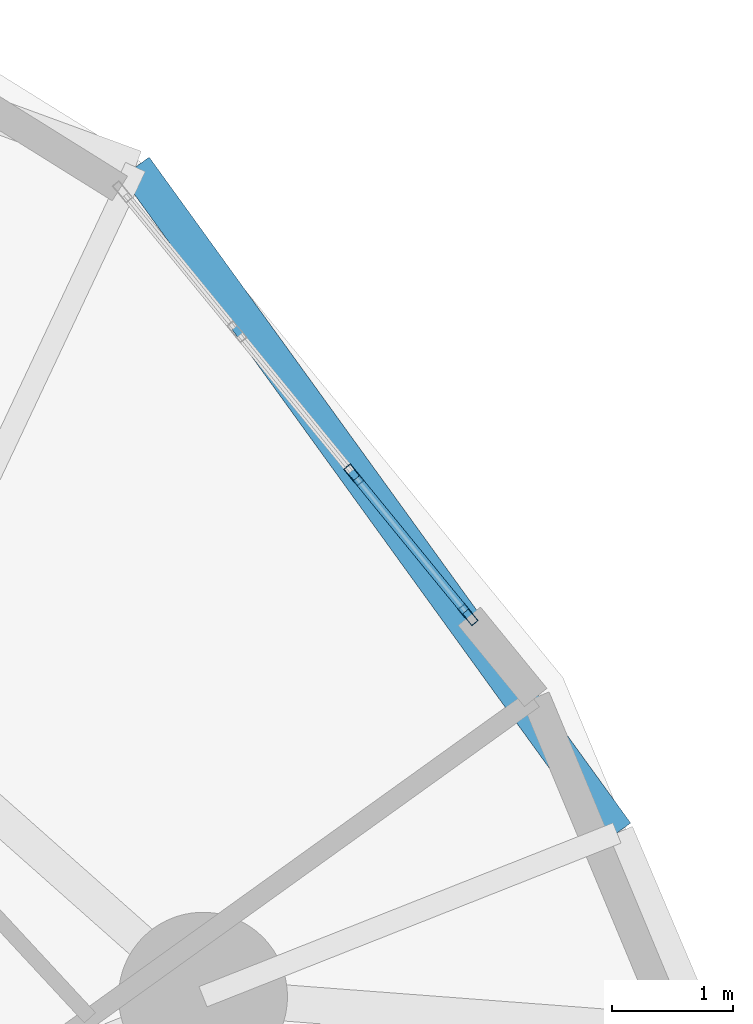
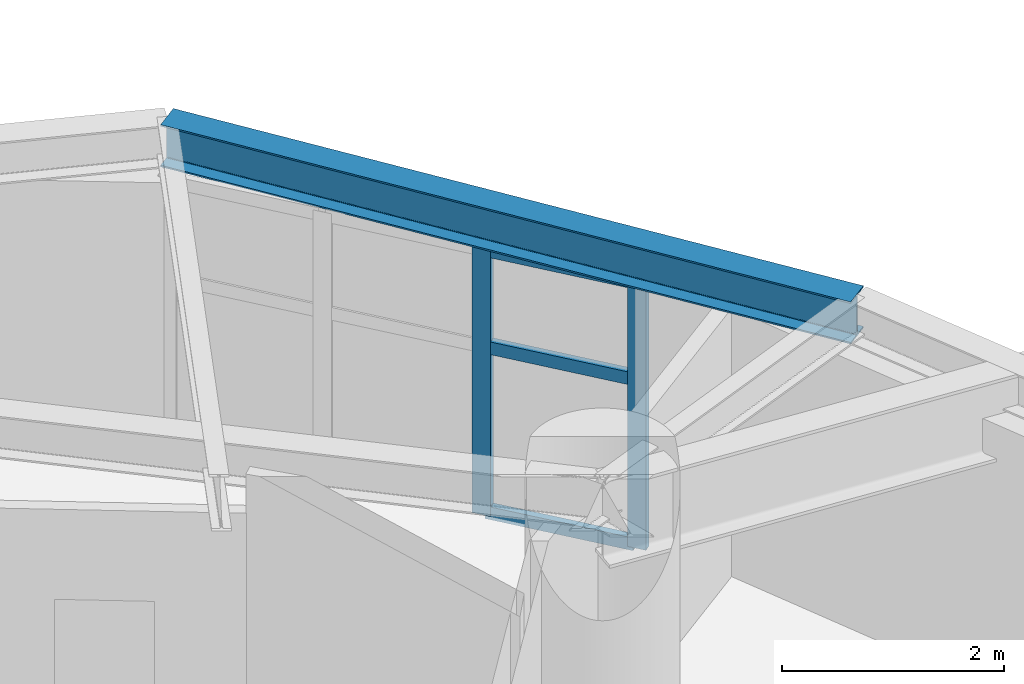
# One storey, part 3 of 20: 5 members, 1 beam, 1 element without a shape of its own.
"""IFC4 building model written with IfcOpenShell, lengths in metres."""

import ifcopenshell
import ifcopenshell.guid

model = None  # the IFC model being written
_history = None  # IfcOwnerHistory: only IFC2X3 demands one
_inside = {}  # id of a spatial element -> (the spatial element, [elements in it])
_under = {}  # id of a project, library or spatial element -> (it, [spatial elements below it])
_declared = {}  # id of a project -> (the project, [libraries it declares])
_typed = {}  # id of a type object -> (the type object, [elements of that type])
_made_of = {}  # id of a material, layer set ... -> (it, [elements and type objects made of it])


def new_model(schema):
    """Start an empty IFC model of exactly this schema.

    Asked for "IFC4X3", IfcOpenShell would pick the latest addendum, in which some entities
    have other attributes; the version numbers below select the first issue.
    IFC2X3 requires an IfcOwnerHistory on every rooted entity: one is made here for all.
    """
    global model, _history
    if schema == "IFC4X3":
        model = ifcopenshell.file(schema_version=(4, 3, 0, 0))
    else:
        model = ifcopenshell.file(schema=schema)
    _inside.clear()
    _under.clear()
    _declared.clear()
    _typed.clear()
    _made_of.clear()
    _history = None
    if model.schema == "IFC2X3":
        org = make("IfcOrganization", Name="unknown")
        user = make(
            "IfcPersonAndOrganization",
            ThePerson=make("IfcPerson", FamilyName="unknown"),
            TheOrganization=org,
        )
        app = make(
            "IfcApplication",
            ApplicationDeveloper=org,
            Version="unknown",
            ApplicationFullName="unknown",
            ApplicationIdentifier="unknown",
        )
        _history = make(
            "IfcOwnerHistory",
            OwningUser=user,
            OwningApplication=app,
            ChangeAction="ADDED",
            CreationDate=0,
        )
    return model


def make(cls, **values):
    """One entity of the class cls with the attributes given. An attribute that is None is left unset."""
    return model.create_entity(
        cls, **{name: value for name, value in values.items() if value is not None}
    )


def rooted(cls, **values):
    """An entity with a GlobalId (a new one), such as an element, a storey or a relation."""
    return make(cls, GlobalId=ifcopenshell.guid.new(), OwnerHistory=_history, **values)


def si_unit(unit_type, name, prefix=None):
    """IfcSIUnit, for example si_unit("LENGTHUNIT", "METRE", prefix="MILLI")."""
    return make("IfcSIUnit", UnitType=unit_type, Prefix=prefix, Name=name)


def assignment(units):
    """IfcUnitAssignment: the units of a project."""
    return None if units is None else make("IfcUnitAssignment", Units=units)


def point(xyz):
    """IfcCartesianPoint."""
    return None if xyz is None else make("IfcCartesianPoint", Coordinates=xyz)


def direction(xyz):
    """IfcDirection."""
    return None if xyz is None else make("IfcDirection", DirectionRatios=xyz)


def frame(location, z_axis=None, x_axis=None):
    """IfcAxis2Placement3D, a coordinate frame: its origin and axes. An axis left out is left unset."""
    return make(
        "IfcAxis2Placement3D",
        Location=point(location),
        Axis=direction(z_axis),
        RefDirection=direction(x_axis),
    )


def frame_2d(location, x_axis=None):
    """IfcAxis2Placement2D, a coordinate frame in the plane: its origin and x axis."""
    return make(
        "IfcAxis2Placement2D", Location=point(location), RefDirection=direction(x_axis)
    )


def origin():
    """The frame at (0, 0, 0) with its axes left unset."""
    return frame((0.0, 0.0, 0.0))


def origin_2d():
    """The frame at (0, 0) in the plane with its x axis left unset."""
    return frame_2d((0.0, 0.0))


def place(relative_to, where):
    """IfcLocalPlacement: puts the frame where relative to a parent placement (None: the world)."""
    return make(
        "IfcLocalPlacement", PlacementRelTo=relative_to, RelativePlacement=where
    )


def context(
    kind, dimensions, precision=None, world=None, true_north=None, identifier=None
):
    """IfcGeometricRepresentationContext, for example the 3D "Model" context."""
    return make(
        "IfcGeometricRepresentationContext",
        ContextIdentifier=identifier,
        ContextType=kind,
        CoordinateSpaceDimension=dimensions,
        Precision=precision,
        WorldCoordinateSystem=world,
        TrueNorth=true_north,
    )


def subcontext(parent, identifier, kind, view, scale=None):
    """IfcGeometricRepresentationSubContext, for example "Body" below "Model"."""
    return make(
        "IfcGeometricRepresentationSubContext",
        ContextIdentifier=identifier,
        ContextType=kind,
        ParentContext=parent,
        TargetScale=scale,
        TargetView=view,
    )


def project(units=None, contexts=None):
    """IfcProject with its units and contexts."""
    return rooted(
        "IfcProject",
        Name="project",
        RepresentationContexts=contexts,
        UnitsInContext=assignment(units),
    )


def spatial(cls, under=None, at=None, **own):
    """A site, building, storey or space (cls), placed at a placement, below another one or the project."""
    s = rooted(cls, ObjectPlacement=at, **own)
    if under is not None:
        _under.setdefault(under.id(), (under, []))[1].append(s)
    return s


def profile(cls, at=None, kind="AREA", **sizes):
    """A parametric profile (cls). Its sizes go by their IFC names, for example OverallWidth=200.0."""
    return make(cls, ProfileType=kind, Position=at, **sizes)


def hollow_rectangle(**sizes):
    """IfcRectangleHollowProfileDef."""
    return profile("IfcRectangleHollowProfileDef", **sizes)


def i_section(**sizes):
    """IfcIShapeProfileDef."""
    return profile("IfcIShapeProfileDef", **sizes)


def extrude(swept, where, along, depth):
    """IfcExtrudedAreaSolid: the profile swept, set in the frame where, extruded along a direction by depth."""
    return make(
        "IfcExtrudedAreaSolid",
        SweptArea=swept,
        Position=where,
        ExtrudedDirection=direction(along),
        Depth=depth,
    )


def shape(context_of_items, identifier, shape_type, items):
    """IfcShapeRepresentation: the items that make up one representation, for example the "Body"."""
    return make(
        "IfcShapeRepresentation",
        ContextOfItems=context_of_items,
        RepresentationIdentifier=identifier,
        RepresentationType=shape_type,
        Items=items,
    )


def material(Name=None, Category=None):
    """IfcMaterial."""
    return make("IfcMaterial", Name=Name, Category=Category)


def layer(
    of_material, thickness, ventilated=None, Name=None, Category=None, Priority=None
):
    """IfcMaterialLayer: one layer of a wall or slab, of a material (None: an air gap)."""
    return make(
        "IfcMaterialLayer",
        Material=of_material,
        LayerThickness=thickness,
        IsVentilated=ventilated,
        Name=Name,
        Category=Category,
        Priority=Priority,
    )


def layer_set(layers, Name=None):
    """IfcMaterialLayerSet."""
    return make("IfcMaterialLayerSet", MaterialLayers=layers, LayerSetName=Name)


def material_profile(
    of_material, cross_section, Name=None, Category=None, Priority=None
):
    """IfcMaterialProfile: a cross section and its material."""
    return make(
        "IfcMaterialProfile",
        Name=Name,
        Material=of_material,
        Profile=cross_section,
        Priority=Priority,
        Category=Category,
    )


def profile_set(profiles, Name=None, composite=None):
    """IfcMaterialProfileSet."""
    return make(
        "IfcMaterialProfileSet",
        Name=Name,
        MaterialProfiles=profiles,
        CompositeProfile=composite,
    )


def made_of(thing, what):
    """Note that an element or type object is made of a material, layer set ...; save() writes the relation."""
    if what is not None:
        _made_of.setdefault(what.id(), (what, []))[1].append(thing)
    return thing


def type_object(cls, material=None, **own):
    """A type object (cls), such as IfcWallType, which elements share."""
    return made_of(rooted(cls, **own), material)


def element(
    cls,
    number,
    at=None,
    inside=None,
    cuts=None,
    type_object=None,
    material=None,
    context=None,
    identifier="Body",
    shape_type=None,
    held_by="IfcProductDefinitionShape",
    body=None,
    shapes=None,
    **own,
):
    """One element of the class cls, such as IfcWall. Its Tag is "e" and its number.

    at: its placement. inside: the storey or other place that contains it. cuts: it is an
    opening in that element (IfcRelVoidsElement). A single representation is given by context,
    identifier, shape_type and body (its items); several are given by shapes. held_by: the class
    of the entity that holds the representations. save() writes the other relations.
    """
    e = rooted(cls, Tag="e%d" % number, ObjectPlacement=at, **own)
    if body is not None:
        shapes = [shape(context, identifier, shape_type, body)]
    if shapes is not None:
        e.Representation = make(held_by, Representations=shapes)
    if inside is not None:
        _inside.setdefault(inside.id(), (inside, []))[1].append(e)
    if cuts is not None:
        rooted(
            "IfcRelVoidsElement", RelatingBuildingElement=cuts, RelatedOpeningElement=e
        )
    if type_object is not None:
        _typed.setdefault(type_object.id(), (type_object, []))[1].append(e)
    return made_of(e, material)


def aggregate(whole, parts):
    """IfcRelAggregates: a whole, such as a stair, and the parts it consists of."""
    return rooted("IfcRelAggregates", RelatingObject=whole, RelatedObjects=parts)


def save(model, path):
    """Write the relations noted so far, then the file.

    IfcRelAggregates (storeys below a building ...), IfcRelContainedInSpatialStructure (elements
    in a storey), IfcRelDefinesByType, IfcRelAssociatesMaterial and IfcRelDeclares: one each for
    every whole, place, type object, material and project.
    """
    for whole, parts in _under.values():
        aggregate(whole, parts)
    for where, things in _inside.values():
        rooted(
            "IfcRelContainedInSpatialStructure",
            RelatedElements=things,
            RelatingStructure=where,
        )
    for kind, things in _typed.values():
        rooted("IfcRelDefinesByType", RelatedObjects=things, RelatingType=kind)
    for what, things in _made_of.values():
        rooted("IfcRelAssociatesMaterial", RelatedObjects=things, RelatingMaterial=what)
    for by, libraries in _declared.values():
        rooted("IfcRelDeclares", RelatingContext=by, RelatedDefinitions=libraries)
    model.write(path)


model = new_model("IFC4")

# Units and contexts
model_context = context("Model", 3, precision=1e-05, world=origin(), true_north=direction((0.0, 1.0)))
body_context = subcontext(model_context, "Body", "Model", "MODEL_VIEW")
ifc_project = project(units=[si_unit("LENGTHUNIT", "METRE"), si_unit("AREAUNIT", "SQUARE_METRE"), si_unit("VOLUMEUNIT", "CUBIC_METRE"), si_unit("PLANEANGLEUNIT", "RADIAN"), si_unit("MASSUNIT", "GRAM", prefix="KILO")], contexts=[model_context])

# Site, building, storey
site_placement = place(None, origin())
site = spatial("IfcSite", under=ifc_project, at=site_placement, CompositionType="ELEMENT")
building_placement = place(site_placement, origin())
building = spatial("IfcBuilding", under=site, at=building_placement, Name="Cununo Teusaquillo Station Towers", CompositionType="ELEMENT")
storey_placement = place(building_placement, frame((0.0, 0.0, 129.159912109375)))
storey = spatial("IfcBuildingStorey", under=building, at=storey_placement, Name="L41", CompositionType="ELEMENT", Elevation=129.159912109375)

# Beam
ifc_material_1 = material(Name="Steel ASTM A572 Grade 50", Category="steel")
ifc_material_profile_1 = material_profile(ifc_material_1, i_section(OverallWidth=0.280029296875, OverallDepth=0.462890625, WebThickness=0.0107421875, FlangeThickness=0.017333984375, FilletRadius=0.013916015625, at=origin_2d()), Name="W18X76")
ifc_profile_set_1 = profile_set([ifc_material_profile_1], Name="Steel ASTM A572 Grade 50")
beam_type = type_object("IfcBeamType", Name="BM-RING-Z2", PredefinedType="SPANDREL", material=ifc_profile_set_1)
beam_placement = place(storey_placement, frame((29.77880859375, 34.586181640625, 3.20849609375), z_axis=(-0.58594455724, 0.810351143543, 0.0), x_axis=(-0.810351143543, -0.58594455724, 0.0)))
element("IfcBeam", 1, at=beam_placement, inside=storey, type_object=beam_type, Name="L41 Tower A Spandrel Ring Beam 03", PredefinedType="SPANDREL", context=body_context, shape_type="SweptSolid", body=[
    extrude(i_section(OverallWidth=0.280029296875, OverallDepth=0.462890625, WebThickness=0.0107421875, FlangeThickness=0.017333984375, FilletRadius=0.013916015625, at=origin_2d()), origin(), (0.0, 0.0, 1.0), 6.8115234375),
])

# Curtain wall, members
ifc_material_2 = material(Name="Ceramic-fritted dark low-E double glazing", Category="glass")
ifc_layer = layer(ifc_material_2, 0.179931640625)
ifc_layer_set = layer_set([ifc_layer], Name="Ceramic-fritted dark low-E double glazing")
curtain_wall_type = type_object("IfcCurtainWallType", Name="CW-SYS-04", PredefinedType="USERDEFINED", material=ifc_layer_set)
curtain_wall_placement = place(storey_placement, origin())
curtain_wall = element("IfcCurtainWall", 2, at=curtain_wall_placement, inside=storey, type_object=curtain_wall_type, Name="L41 Tower A Facade Curtain Wall C02", ObjectType="FRITTED GLAZING", PredefinedType="USERDEFINED")
ifc_material_3 = material(Name="Anodised dark bronze aluminium EN AW-6063-T6", Category="aluminium")
ifc_material_profile_2 = material_profile(ifc_material_3, hollow_rectangle(XDim=0.070068359375, YDim=0.179931640625, WallThickness=0.00390625, at=origin_2d()), Name="CW-MULL-70x180")
ifc_profile_set_2 = profile_set([ifc_material_profile_2], Name="Anodised dark bronze aluminium EN AW-6063-T6")
member_type_1 = type_object("IfcMemberType", Name="CWM-180", PredefinedType="MULLION", material=ifc_profile_set_2)
member_1_placement = place(storey_placement, frame((27.59765625, 37.55419921875, 0.0), z_axis=(0.0, 0.0, 1.0), x_axis=(0.774394127889, 0.63270351247, 0.0)))
member_1 = element("IfcMember", 3, at=member_1_placement, type_object=member_type_1, Name="CW-04 mullion 3", PredefinedType="MULLION", context=body_context, shape_type="SweptSolid", body=[
    extrude(hollow_rectangle(XDim=0.070068359375, YDim=0.179931640625, WallThickness=0.00390625, at=origin_2d()), origin(), (0.0, 0.0, 1.0), 2.948974609375),
])
member_2_placement = place(storey_placement, frame((28.54541015625, 36.394287109375, 0.0), z_axis=(0.0, 0.0, 1.0), x_axis=(0.774394127889, 0.63270351247, 0.0)))
member_2 = element("IfcMember", 4, at=member_2_placement, type_object=member_type_1, Name="CW-04 mullion 4", PredefinedType="MULLION", context=body_context, shape_type="SweptSolid", body=[
    extrude(hollow_rectangle(XDim=0.070068359375, YDim=0.179931640625, WallThickness=0.00390625, at=origin_2d()), origin(), (0.0, 0.0, 1.0), 2.948974609375),
])
ifc_material_4 = material(Name="Anodised dark bronze aluminium EN AW-6063-T6", Category="aluminium")
ifc_material_profile_3 = material_profile(ifc_material_4, hollow_rectangle(XDim=0.070068359375, YDim=0.139892578125, WallThickness=0.00390625, at=origin_2d()), Name="CW-TRAN-70x140")
ifc_profile_set_3 = profile_set([ifc_material_profile_3], Name="Anodised dark bronze aluminium EN AW-6063-T6")
member_type_2 = type_object("IfcMemberType", Name="CWT-140", PredefinedType="USERDEFINED", material=ifc_profile_set_3)
member_3_placement = place(storey_placement, frame((27.619873046875, 37.527099609375, 0.03515625), z_axis=(0.632669622249, -0.774421815991, 0.0), x_axis=(0.774421815991, 0.632669622249, 0.0)))
member_3 = element("IfcMember", 5, at=member_3_placement, type_object=member_type_2, Name="CW-04 transom 3.1", ObjectType="TRANSOM", PredefinedType="USERDEFINED", context=body_context, shape_type="SweptSolid", body=[
    extrude(hollow_rectangle(XDim=0.070068359375, YDim=0.139892578125, WallThickness=0.00390625, at=origin_2d()), origin(), (0.0, 0.0, 1.0), 1.427734375),
])
member_4_placement = place(storey_placement, frame((27.619873046875, 37.527099609375, 1.85009765625), z_axis=(0.632669622249, -0.774421815991, 0.0), x_axis=(0.774421815991, 0.632669622249, 0.0)))
member_4 = element("IfcMember", 6, at=member_4_placement, type_object=member_type_2, Name="CW-04 transom 3.2", ObjectType="TRANSOM", PredefinedType="USERDEFINED", context=body_context, shape_type="SweptSolid", body=[
    extrude(hollow_rectangle(XDim=0.070068359375, YDim=0.139892578125, WallThickness=0.00390625, at=origin_2d()), origin(), (0.0, 0.0, 1.0), 1.427734375),
])
member_5_placement = place(storey_placement, frame((27.619873046875, 37.527099609375, 2.9140625), z_axis=(0.632669622249, -0.774421815991, 0.0), x_axis=(0.774421815991, 0.632669622249, 0.0)))
member_5 = element("IfcMember", 7, at=member_5_placement, type_object=member_type_2, Name="CW-04 transom 3.3", ObjectType="TRANSOM", PredefinedType="USERDEFINED", context=body_context, shape_type="SweptSolid", body=[
    extrude(hollow_rectangle(XDim=0.070068359375, YDim=0.139892578125, WallThickness=0.00390625, at=origin_2d()), origin(), (0.0, 0.0, 1.0), 1.427734375),
])
aggregate(curtain_wall, [member_1, member_2, member_3, member_4, member_5])

save(model, "model.ifc")
